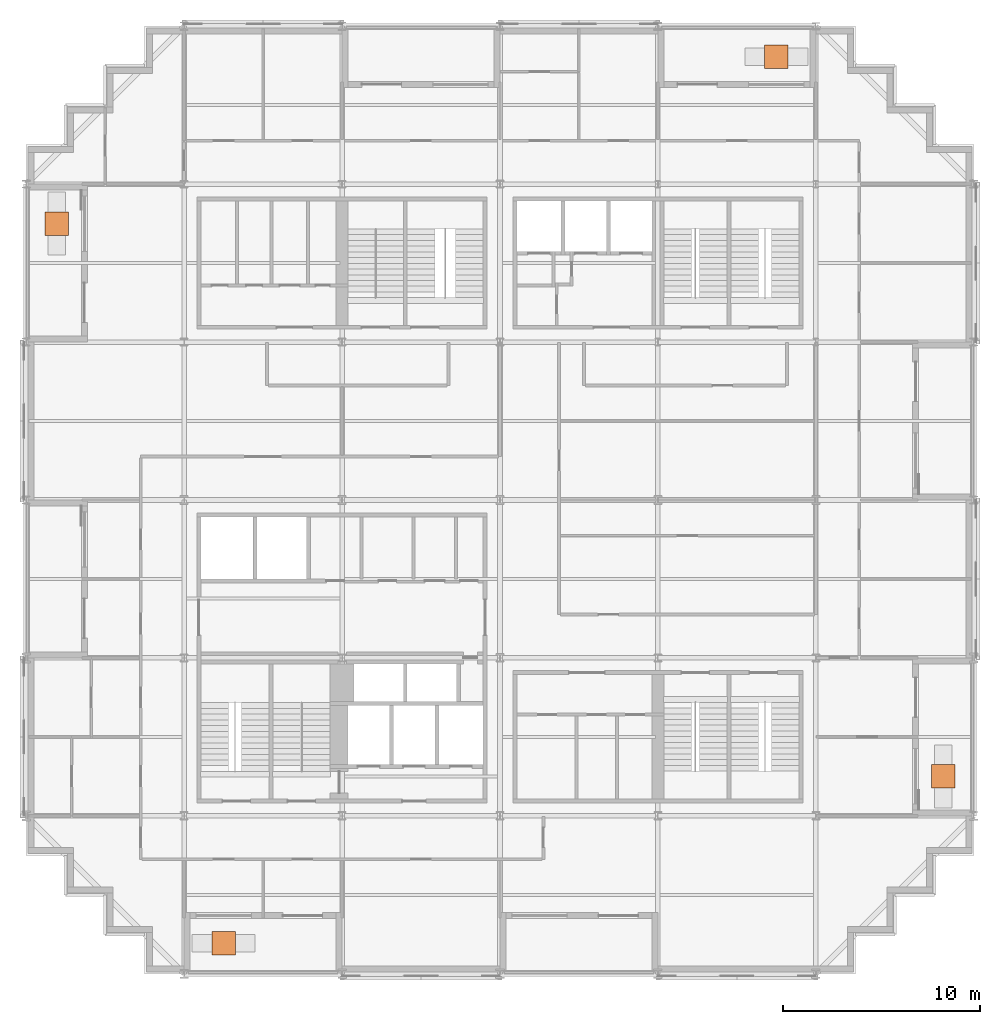
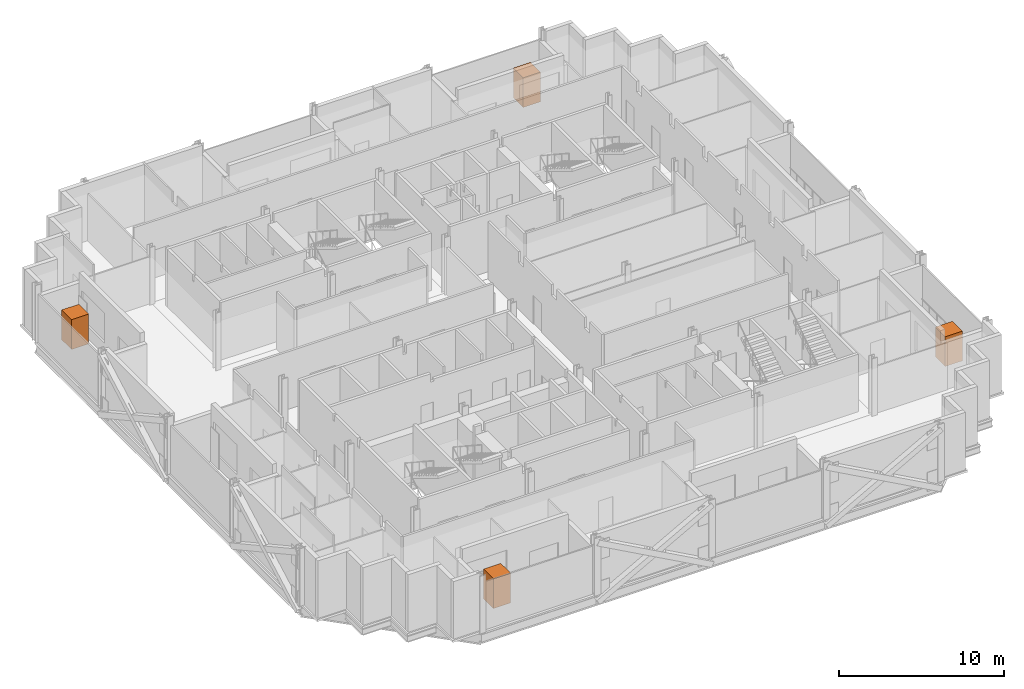
# One storey, part 15 of 15: 4 geographic elements.
"""IFC4 building model written with IfcOpenShell, lengths in metres."""

from ifc_helpers import new_model, si_unit, direction, frame, origin, origin_2d, place, context, subcontext, project, spatial, rectangle, extrude, material, type_object, element, save


model = new_model("IFC4")

# Units and contexts
model_context = context("Model", 3, precision=1e-05, world=origin(), true_north=direction((0.0, 1.0)))
body_context = subcontext(model_context, "Body", "Model", "MODEL_VIEW")
ifc_project = project(units=[si_unit("LENGTHUNIT", "METRE"), si_unit("AREAUNIT", "SQUARE_METRE"), si_unit("VOLUMEUNIT", "CUBIC_METRE"), si_unit("PLANEANGLEUNIT", "RADIAN"), si_unit("MASSUNIT", "GRAM", prefix="KILO")], contexts=[model_context])

# Site, building, storey
site_placement = place(None, origin())
site = spatial("IfcSite", under=ifc_project, at=site_placement, CompositionType="ELEMENT")
building_placement = place(site_placement, origin())
building = spatial("IfcBuilding", under=site, at=building_placement, Name="Immortelle Media Tower", CompositionType="ELEMENT")
storey_placement = place(building_placement, frame((0.0, 0.0, 100.800048828125)))
storey = spatial("IfcBuildingStorey", under=building, at=storey_placement, Name="L19", CompositionType="ELEMENT", Elevation=100.800048828125)

# Geographic elements
ifc_material = material(Name="Tree canopy foliage")
geographic_element_type = type_object("IfcGeographicElementType", Name="Tree", PredefinedType="USERDEFINED", material=ifc_material)
for number, where, z_axis, x_axis, name in (
    (1, (1.550048828125, 38.0, 0.60009765625), (0.0, 0.0, 1.0), (1.0, 0.0, 0.0), "Tree L19 W0"),
    (2, (10.0, 1.550048828125, 0.60009765625), (0.0, 0.0, 1.0), (1.0, 0.0, 0.0), "Tree L19 S0"),
    (3, (46.449951171875, 10.0, 0.60009765625), (0.0, 0.0, 1.0), (1.0, 0.0, 0.0), "Tree L19 E0"),
    (4, (38.0, 46.449951171875, 0.60009765625), (0.0, 0.0, 1.0), (1.0, 0.0, 0.0), "Tree L19 N0"),
):
    element("IfcGeographicElement", number, at=place(storey_placement, frame(where, z_axis=z_axis, x_axis=x_axis)), inside=storey, type_object=geographic_element_type, Name=name, ObjectType="Tree", PredefinedType="USERDEFINED", context=body_context, shape_type="SweptSolid", body=[
        extrude(rectangle(XDim=1.199951171875, YDim=1.199951171875, at=origin_2d()), origin(), (0.0, 0.0, 1.0), 2.199951171875),
    ])

save(model, "model.ifc")
